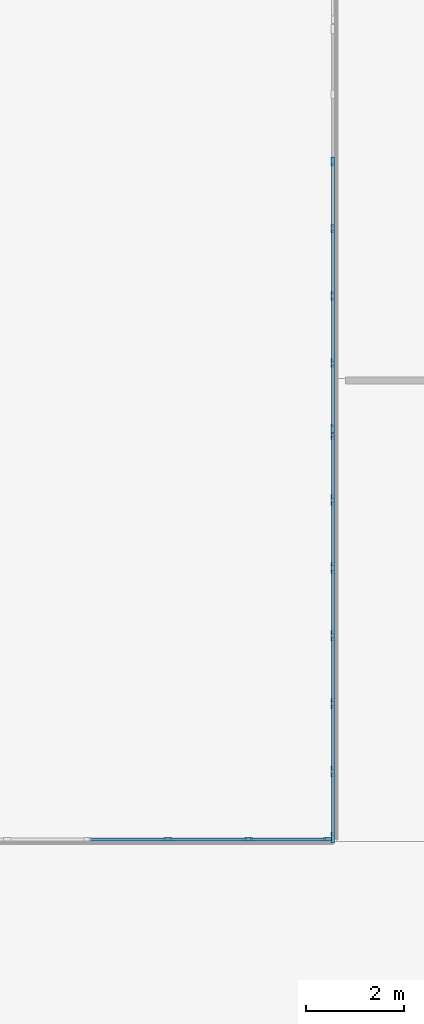
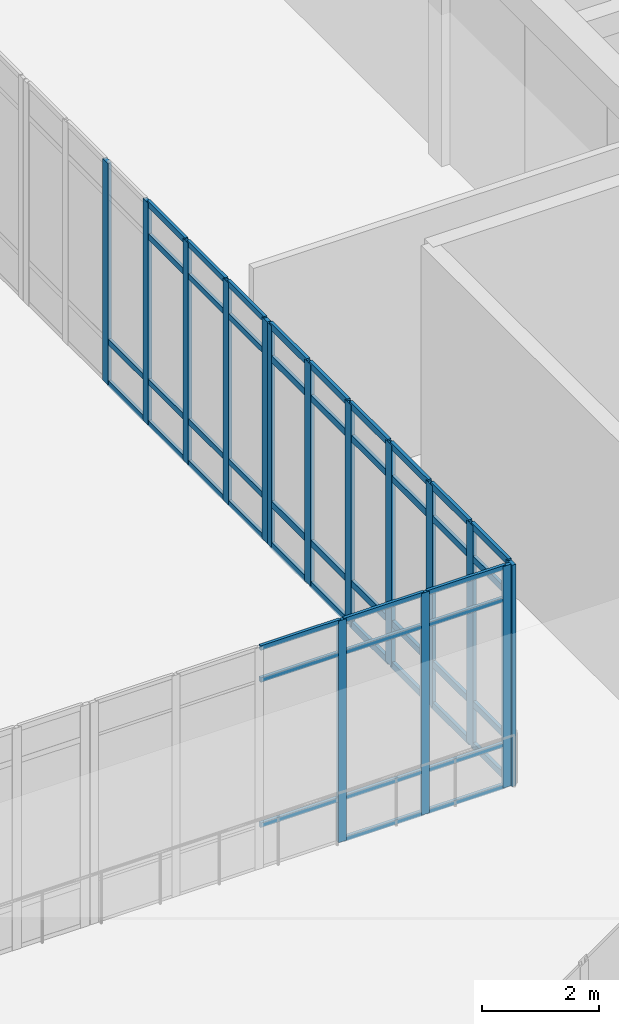
# One storey, part 21 of 157: 64 members, 3 elements without a shape of their own.
"""IFC4 building model written with IfcOpenShell, lengths in metres."""

from ifc_helpers import new_model, si_unit, direction, frame, origin, origin_2d, place, context, subcontext, project, spatial, rectangle, extrude, material, material_profile, profile_set, type_object, element, aggregate, save


model = new_model("IFC4")

# Units and contexts
model_context = context("Model", 3, precision=1e-05, world=origin(), true_north=direction((0.0, 1.0)))
body_context = subcontext(model_context, "Body", "Model", "MODEL_VIEW")
ifc_project = project(units=[si_unit("LENGTHUNIT", "METRE"), si_unit("AREAUNIT", "SQUARE_METRE"), si_unit("VOLUMEUNIT", "CUBIC_METRE"), si_unit("PLANEANGLEUNIT", "RADIAN"), si_unit("MASSUNIT", "GRAM", prefix="KILO")], contexts=[model_context])

# Site, building, storey
site_placement = place(None, origin())
site = spatial("IfcSite", under=ifc_project, at=site_placement, CompositionType="ELEMENT")
building_placement = place(site_placement, origin())
building = spatial("IfcBuilding", under=site, at=building_placement, Name="Varncliffe General Hospital", CompositionType="ELEMENT")
storey_placement = place(building_placement, frame((0.0, 0.0, 5.39990234375)))
storey = spatial("IfcBuildingStorey", under=building, at=storey_placement, Name="L01", CompositionType="ELEMENT", Elevation=5.39990234375)

# Curtain wall, members
ifc_material_1 = material(Name="Triple low-E argon insulated vision glazing", Category="glass")
curtain_wall_type_1 = type_object("IfcCurtainWallType", Name="Unitised Glazed Curtain Wall CW14 (8260x4640)", PredefinedType="USERDEFINED", material=ifc_material_1)
curtain_wall_1_placement = place(storey_placement, origin())
curtain_wall_1 = element("IfcCurtainWall", 1, at=curtain_wall_1_placement, inside=storey, type_object=curtain_wall_type_1, Name="L01 Glazed Curtain Wall CW14-97", ObjectType="GLAZED CURTAIN WALL", PredefinedType="USERDEFINED")
ifc_material_2 = material(Name="Dark bronze thermally broken aluminium framing", Category="aluminium")
ifc_material_profile_1 = material_profile(ifc_material_2, rectangle(XDim=0.074951171875, YDim=0.179931640625, at=origin_2d()), Name="ALU 75x180")
ifc_profile_set_1 = profile_set([ifc_material_profile_1], Name="Dark bronze thermally broken aluminium framing")
member_type_1 = type_object("IfcMemberType", Name="Curtain Wall Mullion CM44 (ALU 75x180)", PredefinedType="MULLION", material=ifc_profile_set_1)
member_1_placement = place(storey_placement, frame((109.199951171875, 24.017822265625, 0.0), z_axis=(0.0, 0.0, 1.0), x_axis=(-1.0, 0.0, 0.0)))
member_1 = element("IfcMember", 2, at=member_1_placement, type_object=member_type_1, Name="CW14 mullion 1", PredefinedType="MULLION", context=body_context, shape_type="SweptSolid", body=[
    extrude(rectangle(XDim=0.074951171875, YDim=0.179931640625, at=origin_2d()), origin(), (0.0, 0.0, 1.0), 4.64013671875),
])
member_2_placement = place(storey_placement, frame((109.199951171875, 25.357177734375, 0.0), z_axis=(0.0, 0.0, 1.0), x_axis=(-1.0, 0.0, 0.0)))
member_2 = element("IfcMember", 3, at=member_2_placement, type_object=member_type_1, Name="CW14 mullion 2", PredefinedType="MULLION", context=body_context, shape_type="SweptSolid", body=[
    extrude(rectangle(XDim=0.074951171875, YDim=0.179931640625, at=origin_2d()), origin(), (0.0, 0.0, 1.0), 4.64013671875),
])
member_3_placement = place(storey_placement, frame((109.199951171875, 26.73388671875, 0.0), z_axis=(0.0, 0.0, 1.0), x_axis=(-1.0, 0.0, 0.0)))
member_3 = element("IfcMember", 4, at=member_3_placement, type_object=member_type_1, Name="CW14 mullion 3", PredefinedType="MULLION", context=body_context, shape_type="SweptSolid", body=[
    extrude(rectangle(XDim=0.074951171875, YDim=0.179931640625, at=origin_2d()), origin(), (0.0, 0.0, 1.0), 4.64013671875),
])
member_4_placement = place(storey_placement, frame((109.199951171875, 28.110595703125, 0.0), z_axis=(0.0, 0.0, 1.0), x_axis=(-1.0, 0.0, 0.0)))
member_4 = element("IfcMember", 5, at=member_4_placement, type_object=member_type_1, Name="CW14 mullion 4", PredefinedType="MULLION", context=body_context, shape_type="SweptSolid", body=[
    extrude(rectangle(XDim=0.074951171875, YDim=0.179931640625, at=origin_2d()), origin(), (0.0, 0.0, 1.0), 4.64013671875),
])
member_5_placement = place(storey_placement, frame((109.199951171875, 29.4873046875, 0.0), z_axis=(0.0, 0.0, 1.0), x_axis=(-1.0, 0.0, 0.0)))
member_5 = element("IfcMember", 6, at=member_5_placement, type_object=member_type_1, Name="CW14 mullion 5", PredefinedType="MULLION", context=body_context, shape_type="SweptSolid", body=[
    extrude(rectangle(XDim=0.074951171875, YDim=0.179931640625, at=origin_2d()), origin(), (0.0, 0.0, 1.0), 4.64013671875),
])

curtain_wall_type_2 = type_object("IfcCurtainWallType", Name="Unitised Glazed Curtain Wall CW56 (8240x4640)", PredefinedType="USERDEFINED", material=ifc_material_1)
curtain_wall_2_placement = place(storey_placement, origin())
curtain_wall_2 = element("IfcCurtainWall", 7, at=curtain_wall_2_placement, inside=storey, type_object=curtain_wall_type_2, Name="L01 Glazed Curtain Wall CW56-95", ObjectType="GLAZED CURTAIN WALL", PredefinedType="USERDEFINED")
ifc_material_profile_2 = material_profile(ifc_material_2, rectangle(XDim=0.06494140625, YDim=0.159912109375, at=origin_2d()), Name="ALU 65x160")
ifc_profile_set_2 = profile_set([ifc_material_profile_2], Name="Dark bronze thermally broken aluminium framing")
member_type_2 = type_object("IfcMemberType", Name="Curtain Wall Mullion CM65 (ALU 65x160)", PredefinedType="MULLION", material=ifc_profile_set_2)
member_6_placement = place(storey_placement, frame((105.823974609375, 15.60009765625, 0.0), z_axis=(0.0, 0.0, 1.0), x_axis=(0.0, 1.0, 0.0)))
member_6 = element("IfcMember", 8, at=member_6_placement, type_object=member_type_2, Name="CW56 mullion 4", PredefinedType="MULLION", context=body_context, shape_type="SweptSolid", body=[
    extrude(rectangle(XDim=0.06494140625, YDim=0.159912109375, at=origin_2d()), origin(), (0.0, 0.0, 1.0), 4.64013671875),
])
member_7_placement = place(storey_placement, frame((107.471923828125, 15.60009765625, 0.0), z_axis=(0.0, 0.0, 1.0), x_axis=(0.0, 1.0, 0.0)))
member_7 = element("IfcMember", 9, at=member_7_placement, type_object=member_type_2, Name="CW56 mullion 5", PredefinedType="MULLION", context=body_context, shape_type="SweptSolid", body=[
    extrude(rectangle(XDim=0.06494140625, YDim=0.159912109375, at=origin_2d()), origin(), (0.0, 0.0, 1.0), 4.64013671875),
])
member_8_placement = place(storey_placement, frame((109.08740234375, 15.60009765625, 0.0), z_axis=(0.0, 0.0, 1.0), x_axis=(0.0, 1.0, 0.0)))
member_8 = element("IfcMember", 10, at=member_8_placement, type_object=member_type_2, Name="CW56 mullion 6", PredefinedType="MULLION", context=body_context, shape_type="SweptSolid", body=[
    extrude(rectangle(XDim=0.06494140625, YDim=0.159912109375, at=origin_2d()), origin(), (0.0, 0.0, 1.0), 4.64013671875),
])

curtain_wall_type_3 = type_object("IfcCurtainWallType", Name="Unitised Glazed Curtain Wall CW86 (8340x4640)", PredefinedType="USERDEFINED", material=ifc_material_1)
curtain_wall_3_placement = place(storey_placement, origin())
curtain_wall_3 = element("IfcCurtainWall", 11, at=curtain_wall_3_placement, inside=storey, type_object=curtain_wall_type_3, Name="L01 Glazed Curtain Wall CW86-96", ObjectType="GLAZED CURTAIN WALL", PredefinedType="USERDEFINED")
ifc_material_profile_3 = material_profile(ifc_material_2, rectangle(XDim=0.074951171875, YDim=0.219970703125, at=origin_2d()), Name="ALU 75x220")
ifc_profile_set_3 = profile_set([ifc_material_profile_3], Name="Dark bronze thermally broken aluminium framing")
member_type_3 = type_object("IfcMemberType", Name="Curtain Wall Mullion CM74 (ALU 75x220)", PredefinedType="MULLION", material=ifc_profile_set_3)
member_9_placement = place(storey_placement, frame((109.199951171875, 15.637451171875, 0.0), z_axis=(0.0, 0.0, 1.0), x_axis=(-1.0, 0.0, 0.0)))
member_9 = element("IfcMember", 12, at=member_9_placement, type_object=member_type_3, Name="CW86 mullion 1", PredefinedType="MULLION", context=body_context, shape_type="SweptSolid", body=[
    extrude(rectangle(XDim=0.074951171875, YDim=0.219970703125, at=origin_2d()), origin(), (0.0, 0.0, 1.0), 4.64013671875),
])
member_10_placement = place(storey_placement, frame((109.199951171875, 16.989990234375, 0.0), z_axis=(0.0, 0.0, 1.0), x_axis=(-1.0, 0.0, 0.0)))
member_10 = element("IfcMember", 13, at=member_10_placement, type_object=member_type_3, Name="CW86 mullion 2", PredefinedType="MULLION", context=body_context, shape_type="SweptSolid", body=[
    extrude(rectangle(XDim=0.074951171875, YDim=0.219970703125, at=origin_2d()), origin(), (0.0, 0.0, 1.0), 4.64013671875),
])
member_11_placement = place(storey_placement, frame((109.199951171875, 18.380126953125, 0.0), z_axis=(0.0, 0.0, 1.0), x_axis=(-1.0, 0.0, 0.0)))
member_11 = element("IfcMember", 14, at=member_11_placement, type_object=member_type_3, Name="CW86 mullion 3", PredefinedType="MULLION", context=body_context, shape_type="SweptSolid", body=[
    extrude(rectangle(XDim=0.074951171875, YDim=0.219970703125, at=origin_2d()), origin(), (0.0, 0.0, 1.0), 4.64013671875),
])
member_12_placement = place(storey_placement, frame((109.199951171875, 19.770263671875, 0.0), z_axis=(0.0, 0.0, 1.0), x_axis=(-1.0, 0.0, 0.0)))
member_12 = element("IfcMember", 15, at=member_12_placement, type_object=member_type_3, Name="CW86 mullion 4", PredefinedType="MULLION", context=body_context, shape_type="SweptSolid", body=[
    extrude(rectangle(XDim=0.074951171875, YDim=0.219970703125, at=origin_2d()), origin(), (0.0, 0.0, 1.0), 4.64013671875),
])
member_13_placement = place(storey_placement, frame((109.199951171875, 21.16015625, 0.0), z_axis=(0.0, 0.0, 1.0), x_axis=(-1.0, 0.0, 0.0)))
member_13 = element("IfcMember", 16, at=member_13_placement, type_object=member_type_3, Name="CW86 mullion 5", PredefinedType="MULLION", context=body_context, shape_type="SweptSolid", body=[
    extrude(rectangle(XDim=0.074951171875, YDim=0.219970703125, at=origin_2d()), origin(), (0.0, 0.0, 1.0), 4.64013671875),
])
member_14_placement = place(storey_placement, frame((109.199951171875, 22.55029296875, 0.0), z_axis=(0.0, 0.0, 1.0), x_axis=(-1.0, 0.0, 0.0)))
member_14 = element("IfcMember", 17, at=member_14_placement, type_object=member_type_3, Name="CW86 mullion 6", PredefinedType="MULLION", context=body_context, shape_type="SweptSolid", body=[
    extrude(rectangle(XDim=0.074951171875, YDim=0.219970703125, at=origin_2d()), origin(), (0.0, 0.0, 1.0), 4.64013671875),
])
member_15_placement = place(storey_placement, frame((109.199951171875, 23.90283203125, 0.0), z_axis=(0.0, 0.0, 1.0), x_axis=(-1.0, 0.0, 0.0)))
member_15 = element("IfcMember", 18, at=member_15_placement, type_object=member_type_3, Name="CW86 mullion 7", PredefinedType="MULLION", context=body_context, shape_type="SweptSolid", body=[
    extrude(rectangle(XDim=0.074951171875, YDim=0.219970703125, at=origin_2d()), origin(), (0.0, 0.0, 1.0), 4.64013671875),
])

# Member
ifc_material_profile_4 = material_profile(ifc_material_2, rectangle(XDim=0.06005859375, YDim=0.1201171875, at=origin_2d()), Name="ALU 60x120")
ifc_profile_set_4 = profile_set([ifc_material_profile_4], Name="Dark bronze thermally broken aluminium framing")
member_type_4 = type_object("IfcMemberType", Name="Curtain Wall Transom CT14 (ALU 60x120)", PredefinedType="USERDEFINED", material=ifc_profile_set_4)
member_16_placement = place(storey_placement, frame((109.199951171875, 24.055419921875, 0.030029296875), z_axis=(0.0, 1.0, 0.0), x_axis=(-1.0, 0.0, 0.0)))
member_16 = element("IfcMember", 19, at=member_16_placement, type_object=member_type_4, Name="CW14 transom 1.1", ObjectType="TRANSOM", PredefinedType="USERDEFINED", context=body_context, shape_type="SweptSolid", body=[
    extrude(rectangle(XDim=0.06005859375, YDim=0.1201171875, at=origin_2d()), origin(), (0.0, 0.0, 1.0), 1.26416015625),
])

member_17_placement = place(storey_placement, frame((109.199951171875, 24.055419921875, 0.900146484375), z_axis=(0.0, 1.0, 0.0), x_axis=(-1.0, 0.0, 0.0)))
member_17 = element("IfcMember", 20, at=member_17_placement, type_object=member_type_4, Name="CW14 transom 1.2", ObjectType="TRANSOM", PredefinedType="USERDEFINED", context=body_context, shape_type="SweptSolid", body=[
    extrude(rectangle(XDim=0.06005859375, YDim=0.1201171875, at=origin_2d()), origin(), (0.0, 0.0, 1.0), 1.26416015625),
])

member_18_placement = place(storey_placement, frame((109.199951171875, 24.055419921875, 3.940185546875), z_axis=(0.0, 1.0, 0.0), x_axis=(-1.0, 0.0, 0.0)))
member_18 = element("IfcMember", 21, at=member_18_placement, type_object=member_type_4, Name="CW14 transom 1.3", ObjectType="TRANSOM", PredefinedType="USERDEFINED", context=body_context, shape_type="SweptSolid", body=[
    extrude(rectangle(XDim=0.06005859375, YDim=0.1201171875, at=origin_2d()), origin(), (0.0, 0.0, 1.0), 1.26416015625),
])

member_19_placement = place(storey_placement, frame((109.199951171875, 24.055419921875, 4.610107421875), z_axis=(0.0, 1.0, 0.0), x_axis=(-1.0, 0.0, 0.0)))
member_19 = element("IfcMember", 22, at=member_19_placement, type_object=member_type_4, Name="CW14 transom 1.4", ObjectType="TRANSOM", PredefinedType="USERDEFINED", context=body_context, shape_type="SweptSolid", body=[
    extrude(rectangle(XDim=0.06005859375, YDim=0.1201171875, at=origin_2d()), origin(), (0.0, 0.0, 1.0), 1.26416015625),
])

member_20_placement = place(storey_placement, frame((109.199951171875, 25.39453125, 0.030029296875), z_axis=(0.0, 1.0, 0.0), x_axis=(-1.0, 0.0, 0.0)))
member_20 = element("IfcMember", 23, at=member_20_placement, type_object=member_type_4, Name="CW14 transom 2.1", ObjectType="TRANSOM", PredefinedType="USERDEFINED", context=body_context, shape_type="SweptSolid", body=[
    extrude(rectangle(XDim=0.06005859375, YDim=0.1201171875, at=origin_2d()), origin(), (0.0, 0.0, 1.0), 1.3017578125),
])

member_21_placement = place(storey_placement, frame((109.199951171875, 25.39453125, 0.900146484375), z_axis=(0.0, 1.0, 0.0), x_axis=(-1.0, 0.0, 0.0)))
member_21 = element("IfcMember", 24, at=member_21_placement, type_object=member_type_4, Name="CW14 transom 2.2", ObjectType="TRANSOM", PredefinedType="USERDEFINED", context=body_context, shape_type="SweptSolid", body=[
    extrude(rectangle(XDim=0.06005859375, YDim=0.1201171875, at=origin_2d()), origin(), (0.0, 0.0, 1.0), 1.3017578125),
])

member_22_placement = place(storey_placement, frame((109.199951171875, 25.39453125, 3.940185546875), z_axis=(0.0, 1.0, 0.0), x_axis=(-1.0, 0.0, 0.0)))
member_22 = element("IfcMember", 25, at=member_22_placement, type_object=member_type_4, Name="CW14 transom 2.3", ObjectType="TRANSOM", PredefinedType="USERDEFINED", context=body_context, shape_type="SweptSolid", body=[
    extrude(rectangle(XDim=0.06005859375, YDim=0.1201171875, at=origin_2d()), origin(), (0.0, 0.0, 1.0), 1.3017578125),
])

member_23_placement = place(storey_placement, frame((109.199951171875, 25.39453125, 4.610107421875), z_axis=(0.0, 1.0, 0.0), x_axis=(-1.0, 0.0, 0.0)))
member_23 = element("IfcMember", 26, at=member_23_placement, type_object=member_type_4, Name="CW14 transom 2.4", ObjectType="TRANSOM", PredefinedType="USERDEFINED", context=body_context, shape_type="SweptSolid", body=[
    extrude(rectangle(XDim=0.06005859375, YDim=0.1201171875, at=origin_2d()), origin(), (0.0, 0.0, 1.0), 1.3017578125),
])

member_24_placement = place(storey_placement, frame((109.199951171875, 26.771484375, 0.030029296875), z_axis=(0.0, 1.0, 0.0), x_axis=(-1.0, 0.0, 0.0)))
member_24 = element("IfcMember", 27, at=member_24_placement, type_object=member_type_4, Name="CW14 transom 3.1", ObjectType="TRANSOM", PredefinedType="USERDEFINED", context=body_context, shape_type="SweptSolid", body=[
    extrude(rectangle(XDim=0.06005859375, YDim=0.1201171875, at=origin_2d()), origin(), (0.0, 0.0, 1.0), 1.301513671875),
])

member_25_placement = place(storey_placement, frame((109.199951171875, 26.771484375, 0.900146484375), z_axis=(0.0, 1.0, 0.0), x_axis=(-1.0, 0.0, 0.0)))
member_25 = element("IfcMember", 28, at=member_25_placement, type_object=member_type_4, Name="CW14 transom 3.2", ObjectType="TRANSOM", PredefinedType="USERDEFINED", context=body_context, shape_type="SweptSolid", body=[
    extrude(rectangle(XDim=0.06005859375, YDim=0.1201171875, at=origin_2d()), origin(), (0.0, 0.0, 1.0), 1.301513671875),
])

member_26_placement = place(storey_placement, frame((109.199951171875, 26.771484375, 3.940185546875), z_axis=(0.0, 1.0, 0.0), x_axis=(-1.0, 0.0, 0.0)))
member_26 = element("IfcMember", 29, at=member_26_placement, type_object=member_type_4, Name="CW14 transom 3.3", ObjectType="TRANSOM", PredefinedType="USERDEFINED", context=body_context, shape_type="SweptSolid", body=[
    extrude(rectangle(XDim=0.06005859375, YDim=0.1201171875, at=origin_2d()), origin(), (0.0, 0.0, 1.0), 1.301513671875),
])

member_27_placement = place(storey_placement, frame((109.199951171875, 26.771484375, 4.610107421875), z_axis=(0.0, 1.0, 0.0), x_axis=(-1.0, 0.0, 0.0)))
member_27 = element("IfcMember", 30, at=member_27_placement, type_object=member_type_4, Name="CW14 transom 3.4", ObjectType="TRANSOM", PredefinedType="USERDEFINED", context=body_context, shape_type="SweptSolid", body=[
    extrude(rectangle(XDim=0.06005859375, YDim=0.1201171875, at=origin_2d()), origin(), (0.0, 0.0, 1.0), 1.301513671875),
])

member_28_placement = place(storey_placement, frame((109.199951171875, 28.148193359375, 0.030029296875), z_axis=(0.0, 1.0, 0.0), x_axis=(-1.0, 0.0, 0.0)))
member_28 = element("IfcMember", 31, at=member_28_placement, type_object=member_type_4, Name="CW14 transom 4.1", ObjectType="TRANSOM", PredefinedType="USERDEFINED", context=body_context, shape_type="SweptSolid", body=[
    extrude(rectangle(XDim=0.06005859375, YDim=0.1201171875, at=origin_2d()), origin(), (0.0, 0.0, 1.0), 1.3017578125),
])

member_29_placement = place(storey_placement, frame((109.199951171875, 28.148193359375, 0.900146484375), z_axis=(0.0, 1.0, 0.0), x_axis=(-1.0, 0.0, 0.0)))
member_29 = element("IfcMember", 32, at=member_29_placement, type_object=member_type_4, Name="CW14 transom 4.2", ObjectType="TRANSOM", PredefinedType="USERDEFINED", context=body_context, shape_type="SweptSolid", body=[
    extrude(rectangle(XDim=0.06005859375, YDim=0.1201171875, at=origin_2d()), origin(), (0.0, 0.0, 1.0), 1.3017578125),
])

aggregate(curtain_wall_1, [member_1, member_2, member_3, member_4, member_5, member_16, member_17, member_18, member_19, member_20, member_21, member_22, member_23, member_24, member_25, member_26, member_27, member_28, member_29])

ifc_material_profile_5 = material_profile(ifc_material_2, rectangle(XDim=0.06005859375, YDim=0.10009765625, at=origin_2d()), Name="ALU 60x100")
ifc_profile_set_5 = profile_set([ifc_material_profile_5], Name="Dark bronze thermally broken aluminium framing")
member_type_5 = type_object("IfcMemberType", Name="Curtain Wall Transom CT18 (ALU 60x100)", PredefinedType="USERDEFINED", material=ifc_profile_set_5)
member_30_placement = place(storey_placement, frame((104.20849609375, 15.60009765625, 0.900146484375), z_axis=(1.0, 0.0, 0.0), x_axis=(0.0, 1.0, 0.0)))
member_30 = element("IfcMember", 33, at=member_30_placement, type_object=member_type_5, Name="CW56 transom 3.2", ObjectType="TRANSOM", PredefinedType="USERDEFINED", context=body_context, shape_type="SweptSolid", body=[
    extrude(rectangle(XDim=0.06005859375, YDim=0.10009765625, at=origin_2d()), origin(), (0.0, 0.0, 1.0), 1.5830078125),
])

member_31_placement = place(storey_placement, frame((104.20849609375, 15.60009765625, 3.940185546875), z_axis=(1.0, 0.0, 0.0), x_axis=(0.0, 1.0, 0.0)))
member_31 = element("IfcMember", 34, at=member_31_placement, type_object=member_type_5, Name="CW56 transom 3.3", ObjectType="TRANSOM", PredefinedType="USERDEFINED", context=body_context, shape_type="SweptSolid", body=[
    extrude(rectangle(XDim=0.06005859375, YDim=0.10009765625, at=origin_2d()), origin(), (0.0, 0.0, 1.0), 1.5830078125),
])

member_32_placement = place(storey_placement, frame((104.20849609375, 15.60009765625, 4.610107421875), z_axis=(1.0, 0.0, 0.0), x_axis=(0.0, 1.0, 0.0)))
member_32 = element("IfcMember", 35, at=member_32_placement, type_object=member_type_5, Name="CW56 transom 3.4", ObjectType="TRANSOM", PredefinedType="USERDEFINED", context=body_context, shape_type="SweptSolid", body=[
    extrude(rectangle(XDim=0.06005859375, YDim=0.10009765625, at=origin_2d()), origin(), (0.0, 0.0, 1.0), 1.5830078125),
])

member_33_placement = place(storey_placement, frame((105.8564453125, 15.60009765625, 0.030029296875), z_axis=(1.0, 0.0, 0.0), x_axis=(0.0, 1.0, 0.0)))
member_33 = element("IfcMember", 36, at=member_33_placement, type_object=member_type_5, Name="CW56 transom 4.1", ObjectType="TRANSOM", PredefinedType="USERDEFINED", context=body_context, shape_type="SweptSolid", body=[
    extrude(rectangle(XDim=0.06005859375, YDim=0.10009765625, at=origin_2d()), origin(), (0.0, 0.0, 1.0), 1.5830078125),
])

member_34_placement = place(storey_placement, frame((105.8564453125, 15.60009765625, 0.900146484375), z_axis=(1.0, 0.0, 0.0), x_axis=(0.0, 1.0, 0.0)))
member_34 = element("IfcMember", 37, at=member_34_placement, type_object=member_type_5, Name="CW56 transom 4.2", ObjectType="TRANSOM", PredefinedType="USERDEFINED", context=body_context, shape_type="SweptSolid", body=[
    extrude(rectangle(XDim=0.06005859375, YDim=0.10009765625, at=origin_2d()), origin(), (0.0, 0.0, 1.0), 1.5830078125),
])

member_35_placement = place(storey_placement, frame((105.8564453125, 15.60009765625, 3.940185546875), z_axis=(1.0, 0.0, 0.0), x_axis=(0.0, 1.0, 0.0)))
member_35 = element("IfcMember", 38, at=member_35_placement, type_object=member_type_5, Name="CW56 transom 4.3", ObjectType="TRANSOM", PredefinedType="USERDEFINED", context=body_context, shape_type="SweptSolid", body=[
    extrude(rectangle(XDim=0.06005859375, YDim=0.10009765625, at=origin_2d()), origin(), (0.0, 0.0, 1.0), 1.5830078125),
])

member_36_placement = place(storey_placement, frame((105.8564453125, 15.60009765625, 4.610107421875), z_axis=(1.0, 0.0, 0.0), x_axis=(0.0, 1.0, 0.0)))
member_36 = element("IfcMember", 39, at=member_36_placement, type_object=member_type_5, Name="CW56 transom 4.4", ObjectType="TRANSOM", PredefinedType="USERDEFINED", context=body_context, shape_type="SweptSolid", body=[
    extrude(rectangle(XDim=0.06005859375, YDim=0.10009765625, at=origin_2d()), origin(), (0.0, 0.0, 1.0), 1.5830078125),
])

member_37_placement = place(storey_placement, frame((107.50439453125, 15.60009765625, 0.030029296875), z_axis=(1.0, 0.0, 0.0), x_axis=(0.0, 1.0, 0.0)))
member_37 = element("IfcMember", 40, at=member_37_placement, type_object=member_type_5, Name="CW56 transom 5.1", ObjectType="TRANSOM", PredefinedType="USERDEFINED", context=body_context, shape_type="SweptSolid", body=[
    extrude(rectangle(XDim=0.06005859375, YDim=0.10009765625, at=origin_2d()), origin(), (0.0, 0.0, 1.0), 1.550537109375),
])

member_38_placement = place(storey_placement, frame((107.50439453125, 15.60009765625, 0.900146484375), z_axis=(1.0, 0.0, 0.0), x_axis=(0.0, 1.0, 0.0)))
member_38 = element("IfcMember", 41, at=member_38_placement, type_object=member_type_5, Name="CW56 transom 5.2", ObjectType="TRANSOM", PredefinedType="USERDEFINED", context=body_context, shape_type="SweptSolid", body=[
    extrude(rectangle(XDim=0.06005859375, YDim=0.10009765625, at=origin_2d()), origin(), (0.0, 0.0, 1.0), 1.550537109375),
])

member_39_placement = place(storey_placement, frame((107.50439453125, 15.60009765625, 3.940185546875), z_axis=(1.0, 0.0, 0.0), x_axis=(0.0, 1.0, 0.0)))
member_39 = element("IfcMember", 42, at=member_39_placement, type_object=member_type_5, Name="CW56 transom 5.3", ObjectType="TRANSOM", PredefinedType="USERDEFINED", context=body_context, shape_type="SweptSolid", body=[
    extrude(rectangle(XDim=0.06005859375, YDim=0.10009765625, at=origin_2d()), origin(), (0.0, 0.0, 1.0), 1.550537109375),
])

member_40_placement = place(storey_placement, frame((107.50439453125, 15.60009765625, 4.610107421875), z_axis=(1.0, 0.0, 0.0), x_axis=(0.0, 1.0, 0.0)))
member_40 = element("IfcMember", 43, at=member_40_placement, type_object=member_type_5, Name="CW56 transom 5.4", ObjectType="TRANSOM", PredefinedType="USERDEFINED", context=body_context, shape_type="SweptSolid", body=[
    extrude(rectangle(XDim=0.06005859375, YDim=0.10009765625, at=origin_2d()), origin(), (0.0, 0.0, 1.0), 1.550537109375),
])

aggregate(curtain_wall_2, [member_6, member_7, member_8, member_30, member_31, member_32, member_33, member_34, member_35, member_36, member_37, member_38, member_39, member_40])

ifc_material_profile_6 = material_profile(ifc_material_2, rectangle(XDim=0.06494140625, YDim=0.139892578125, at=origin_2d()), Name="ALU 65x140")
ifc_profile_set_6 = profile_set([ifc_material_profile_6], Name="Dark bronze thermally broken aluminium framing")
member_type_6 = type_object("IfcMemberType", Name="Curtain Wall Transom CT69 (ALU 65x140)", PredefinedType="USERDEFINED", material=ifc_profile_set_6)
member_41_placement = place(storey_placement, frame((109.199951171875, 15.675048828125, 0.03271484375), z_axis=(0.0, 1.0, 0.0), x_axis=(-1.0, 0.0, 0.0)))
member_41 = element("IfcMember", 44, at=member_41_placement, type_object=member_type_6, Name="CW86 transom 1.1", ObjectType="TRANSOM", PredefinedType="USERDEFINED", context=body_context, shape_type="SweptSolid", body=[
    extrude(rectangle(XDim=0.06494140625, YDim=0.139892578125, at=origin_2d()), origin(), (0.0, 0.0, 1.0), 1.277587890625),
])

member_42_placement = place(storey_placement, frame((109.199951171875, 15.675048828125, 0.900146484375), z_axis=(0.0, 1.0, 0.0), x_axis=(-1.0, 0.0, 0.0)))
member_42 = element("IfcMember", 45, at=member_42_placement, type_object=member_type_6, Name="CW86 transom 1.2", ObjectType="TRANSOM", PredefinedType="USERDEFINED", context=body_context, shape_type="SweptSolid", body=[
    extrude(rectangle(XDim=0.06494140625, YDim=0.139892578125, at=origin_2d()), origin(), (0.0, 0.0, 1.0), 1.277587890625),
])

member_43_placement = place(storey_placement, frame((109.199951171875, 15.675048828125, 3.940185546875), z_axis=(0.0, 1.0, 0.0), x_axis=(-1.0, 0.0, 0.0)))
member_43 = element("IfcMember", 46, at=member_43_placement, type_object=member_type_6, Name="CW86 transom 1.3", ObjectType="TRANSOM", PredefinedType="USERDEFINED", context=body_context, shape_type="SweptSolid", body=[
    extrude(rectangle(XDim=0.06494140625, YDim=0.139892578125, at=origin_2d()), origin(), (0.0, 0.0, 1.0), 1.277587890625),
])

member_44_placement = place(storey_placement, frame((109.199951171875, 15.675048828125, 4.607666015625), z_axis=(0.0, 1.0, 0.0), x_axis=(-1.0, 0.0, 0.0)))
member_44 = element("IfcMember", 47, at=member_44_placement, type_object=member_type_6, Name="CW86 transom 1.4", ObjectType="TRANSOM", PredefinedType="USERDEFINED", context=body_context, shape_type="SweptSolid", body=[
    extrude(rectangle(XDim=0.06494140625, YDim=0.139892578125, at=origin_2d()), origin(), (0.0, 0.0, 1.0), 1.277587890625),
])

member_45_placement = place(storey_placement, frame((109.199951171875, 17.027587890625, 0.03271484375), z_axis=(0.0, 1.0, 0.0), x_axis=(-1.0, 0.0, 0.0)))
member_45 = element("IfcMember", 48, at=member_45_placement, type_object=member_type_6, Name="CW86 transom 2.1", ObjectType="TRANSOM", PredefinedType="USERDEFINED", context=body_context, shape_type="SweptSolid", body=[
    extrude(rectangle(XDim=0.06494140625, YDim=0.139892578125, at=origin_2d()), origin(), (0.0, 0.0, 1.0), 1.31494140625),
])

member_46_placement = place(storey_placement, frame((109.199951171875, 17.027587890625, 0.900146484375), z_axis=(0.0, 1.0, 0.0), x_axis=(-1.0, 0.0, 0.0)))
member_46 = element("IfcMember", 49, at=member_46_placement, type_object=member_type_6, Name="CW86 transom 2.2", ObjectType="TRANSOM", PredefinedType="USERDEFINED", context=body_context, shape_type="SweptSolid", body=[
    extrude(rectangle(XDim=0.06494140625, YDim=0.139892578125, at=origin_2d()), origin(), (0.0, 0.0, 1.0), 1.31494140625),
])

member_47_placement = place(storey_placement, frame((109.199951171875, 17.027587890625, 3.940185546875), z_axis=(0.0, 1.0, 0.0), x_axis=(-1.0, 0.0, 0.0)))
member_47 = element("IfcMember", 50, at=member_47_placement, type_object=member_type_6, Name="CW86 transom 2.3", ObjectType="TRANSOM", PredefinedType="USERDEFINED", context=body_context, shape_type="SweptSolid", body=[
    extrude(rectangle(XDim=0.06494140625, YDim=0.139892578125, at=origin_2d()), origin(), (0.0, 0.0, 1.0), 1.31494140625),
])

member_48_placement = place(storey_placement, frame((109.199951171875, 17.027587890625, 4.607666015625), z_axis=(0.0, 1.0, 0.0), x_axis=(-1.0, 0.0, 0.0)))
member_48 = element("IfcMember", 51, at=member_48_placement, type_object=member_type_6, Name="CW86 transom 2.4", ObjectType="TRANSOM", PredefinedType="USERDEFINED", context=body_context, shape_type="SweptSolid", body=[
    extrude(rectangle(XDim=0.06494140625, YDim=0.139892578125, at=origin_2d()), origin(), (0.0, 0.0, 1.0), 1.31494140625),
])

member_49_placement = place(storey_placement, frame((109.199951171875, 18.417724609375, 0.03271484375), z_axis=(0.0, 1.0, 0.0), x_axis=(-1.0, 0.0, 0.0)))
member_49 = element("IfcMember", 52, at=member_49_placement, type_object=member_type_6, Name="CW86 transom 3.1", ObjectType="TRANSOM", PredefinedType="USERDEFINED", context=body_context, shape_type="SweptSolid", body=[
    extrude(rectangle(XDim=0.06494140625, YDim=0.139892578125, at=origin_2d()), origin(), (0.0, 0.0, 1.0), 1.31494140625),
])

member_50_placement = place(storey_placement, frame((109.199951171875, 18.417724609375, 0.900146484375), z_axis=(0.0, 1.0, 0.0), x_axis=(-1.0, 0.0, 0.0)))
member_50 = element("IfcMember", 53, at=member_50_placement, type_object=member_type_6, Name="CW86 transom 3.2", ObjectType="TRANSOM", PredefinedType="USERDEFINED", context=body_context, shape_type="SweptSolid", body=[
    extrude(rectangle(XDim=0.06494140625, YDim=0.139892578125, at=origin_2d()), origin(), (0.0, 0.0, 1.0), 1.31494140625),
])

member_51_placement = place(storey_placement, frame((109.199951171875, 18.417724609375, 3.940185546875), z_axis=(0.0, 1.0, 0.0), x_axis=(-1.0, 0.0, 0.0)))
member_51 = element("IfcMember", 54, at=member_51_placement, type_object=member_type_6, Name="CW86 transom 3.3", ObjectType="TRANSOM", PredefinedType="USERDEFINED", context=body_context, shape_type="SweptSolid", body=[
    extrude(rectangle(XDim=0.06494140625, YDim=0.139892578125, at=origin_2d()), origin(), (0.0, 0.0, 1.0), 1.31494140625),
])

member_52_placement = place(storey_placement, frame((109.199951171875, 18.417724609375, 4.607666015625), z_axis=(0.0, 1.0, 0.0), x_axis=(-1.0, 0.0, 0.0)))
member_52 = element("IfcMember", 55, at=member_52_placement, type_object=member_type_6, Name="CW86 transom 3.4", ObjectType="TRANSOM", PredefinedType="USERDEFINED", context=body_context, shape_type="SweptSolid", body=[
    extrude(rectangle(XDim=0.06494140625, YDim=0.139892578125, at=origin_2d()), origin(), (0.0, 0.0, 1.0), 1.31494140625),
])

member_53_placement = place(storey_placement, frame((109.199951171875, 19.8076171875, 0.03271484375), z_axis=(0.0, 1.0, 0.0), x_axis=(-1.0, 0.0, 0.0)))
member_53 = element("IfcMember", 56, at=member_53_placement, type_object=member_type_6, Name="CW86 transom 4.1", ObjectType="TRANSOM", PredefinedType="USERDEFINED", context=body_context, shape_type="SweptSolid", body=[
    extrude(rectangle(XDim=0.06494140625, YDim=0.139892578125, at=origin_2d()), origin(), (0.0, 0.0, 1.0), 1.315185546875),
])

member_54_placement = place(storey_placement, frame((109.199951171875, 19.8076171875, 0.900146484375), z_axis=(0.0, 1.0, 0.0), x_axis=(-1.0, 0.0, 0.0)))
member_54 = element("IfcMember", 57, at=member_54_placement, type_object=member_type_6, Name="CW86 transom 4.2", ObjectType="TRANSOM", PredefinedType="USERDEFINED", context=body_context, shape_type="SweptSolid", body=[
    extrude(rectangle(XDim=0.06494140625, YDim=0.139892578125, at=origin_2d()), origin(), (0.0, 0.0, 1.0), 1.315185546875),
])

member_55_placement = place(storey_placement, frame((109.199951171875, 19.8076171875, 3.940185546875), z_axis=(0.0, 1.0, 0.0), x_axis=(-1.0, 0.0, 0.0)))
member_55 = element("IfcMember", 58, at=member_55_placement, type_object=member_type_6, Name="CW86 transom 4.3", ObjectType="TRANSOM", PredefinedType="USERDEFINED", context=body_context, shape_type="SweptSolid", body=[
    extrude(rectangle(XDim=0.06494140625, YDim=0.139892578125, at=origin_2d()), origin(), (0.0, 0.0, 1.0), 1.315185546875),
])

member_56_placement = place(storey_placement, frame((109.199951171875, 19.8076171875, 4.607666015625), z_axis=(0.0, 1.0, 0.0), x_axis=(-1.0, 0.0, 0.0)))
member_56 = element("IfcMember", 59, at=member_56_placement, type_object=member_type_6, Name="CW86 transom 4.4", ObjectType="TRANSOM", PredefinedType="USERDEFINED", context=body_context, shape_type="SweptSolid", body=[
    extrude(rectangle(XDim=0.06494140625, YDim=0.139892578125, at=origin_2d()), origin(), (0.0, 0.0, 1.0), 1.315185546875),
])

member_57_placement = place(storey_placement, frame((109.199951171875, 21.19775390625, 0.03271484375), z_axis=(0.0, 1.0, 0.0), x_axis=(-1.0, 0.0, 0.0)))
member_57 = element("IfcMember", 60, at=member_57_placement, type_object=member_type_6, Name="CW86 transom 5.1", ObjectType="TRANSOM", PredefinedType="USERDEFINED", context=body_context, shape_type="SweptSolid", body=[
    extrude(rectangle(XDim=0.06494140625, YDim=0.139892578125, at=origin_2d()), origin(), (0.0, 0.0, 1.0), 1.315185546875),
])

member_58_placement = place(storey_placement, frame((109.199951171875, 21.19775390625, 0.900146484375), z_axis=(0.0, 1.0, 0.0), x_axis=(-1.0, 0.0, 0.0)))
member_58 = element("IfcMember", 61, at=member_58_placement, type_object=member_type_6, Name="CW86 transom 5.2", ObjectType="TRANSOM", PredefinedType="USERDEFINED", context=body_context, shape_type="SweptSolid", body=[
    extrude(rectangle(XDim=0.06494140625, YDim=0.139892578125, at=origin_2d()), origin(), (0.0, 0.0, 1.0), 1.315185546875),
])

member_59_placement = place(storey_placement, frame((109.199951171875, 21.19775390625, 3.940185546875), z_axis=(0.0, 1.0, 0.0), x_axis=(-1.0, 0.0, 0.0)))
member_59 = element("IfcMember", 62, at=member_59_placement, type_object=member_type_6, Name="CW86 transom 5.3", ObjectType="TRANSOM", PredefinedType="USERDEFINED", context=body_context, shape_type="SweptSolid", body=[
    extrude(rectangle(XDim=0.06494140625, YDim=0.139892578125, at=origin_2d()), origin(), (0.0, 0.0, 1.0), 1.315185546875),
])

member_60_placement = place(storey_placement, frame((109.199951171875, 21.19775390625, 4.607666015625), z_axis=(0.0, 1.0, 0.0), x_axis=(-1.0, 0.0, 0.0)))
member_60 = element("IfcMember", 63, at=member_60_placement, type_object=member_type_6, Name="CW86 transom 5.4", ObjectType="TRANSOM", PredefinedType="USERDEFINED", context=body_context, shape_type="SweptSolid", body=[
    extrude(rectangle(XDim=0.06494140625, YDim=0.139892578125, at=origin_2d()), origin(), (0.0, 0.0, 1.0), 1.315185546875),
])

member_61_placement = place(storey_placement, frame((109.199951171875, 22.587890625, 0.03271484375), z_axis=(0.0, 1.0, 0.0), x_axis=(-1.0, 0.0, 0.0)))
member_61 = element("IfcMember", 64, at=member_61_placement, type_object=member_type_6, Name="CW86 transom 6.1", ObjectType="TRANSOM", PredefinedType="USERDEFINED", context=body_context, shape_type="SweptSolid", body=[
    extrude(rectangle(XDim=0.06494140625, YDim=0.139892578125, at=origin_2d()), origin(), (0.0, 0.0, 1.0), 1.277587890625),
])

member_62_placement = place(storey_placement, frame((109.199951171875, 22.587890625, 0.900146484375), z_axis=(0.0, 1.0, 0.0), x_axis=(-1.0, 0.0, 0.0)))
member_62 = element("IfcMember", 65, at=member_62_placement, type_object=member_type_6, Name="CW86 transom 6.2", ObjectType="TRANSOM", PredefinedType="USERDEFINED", context=body_context, shape_type="SweptSolid", body=[
    extrude(rectangle(XDim=0.06494140625, YDim=0.139892578125, at=origin_2d()), origin(), (0.0, 0.0, 1.0), 1.277587890625),
])

member_63_placement = place(storey_placement, frame((109.199951171875, 22.587890625, 3.940185546875), z_axis=(0.0, 1.0, 0.0), x_axis=(-1.0, 0.0, 0.0)))
member_63 = element("IfcMember", 66, at=member_63_placement, type_object=member_type_6, Name="CW86 transom 6.3", ObjectType="TRANSOM", PredefinedType="USERDEFINED", context=body_context, shape_type="SweptSolid", body=[
    extrude(rectangle(XDim=0.06494140625, YDim=0.139892578125, at=origin_2d()), origin(), (0.0, 0.0, 1.0), 1.277587890625),
])

member_64_placement = place(storey_placement, frame((109.199951171875, 22.587890625, 4.607666015625), z_axis=(0.0, 1.0, 0.0), x_axis=(-1.0, 0.0, 0.0)))
member_64 = element("IfcMember", 67, at=member_64_placement, type_object=member_type_6, Name="CW86 transom 6.4", ObjectType="TRANSOM", PredefinedType="USERDEFINED", context=body_context, shape_type="SweptSolid", body=[
    extrude(rectangle(XDim=0.06494140625, YDim=0.139892578125, at=origin_2d()), origin(), (0.0, 0.0, 1.0), 1.277587890625),
])

aggregate(curtain_wall_3, [member_9, member_10, member_11, member_12, member_13, member_14, member_15, member_41, member_42, member_43, member_44, member_45, member_46, member_47, member_48, member_49, member_50, member_51, member_52, member_53, member_54, member_55, member_56, member_57, member_58, member_59, member_60, member_61, member_62, member_63, member_64])

save(model, "model.ifc")
